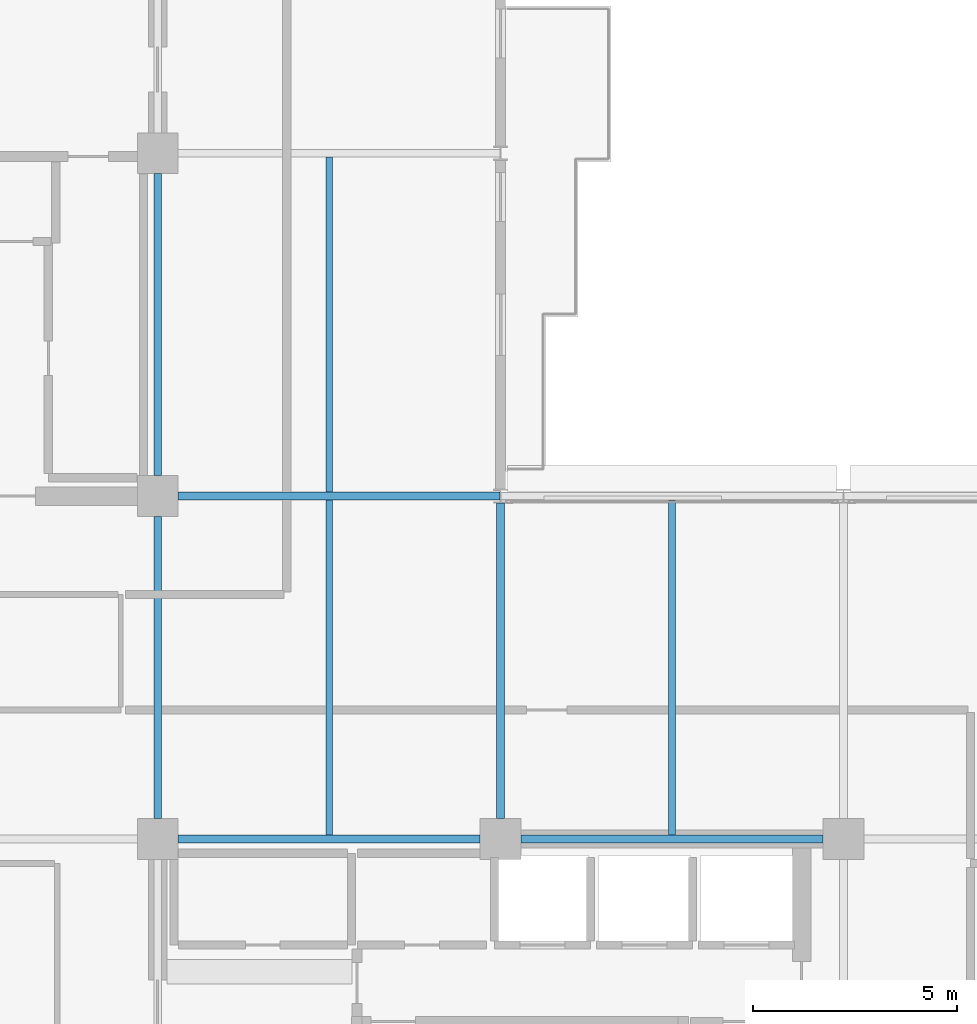
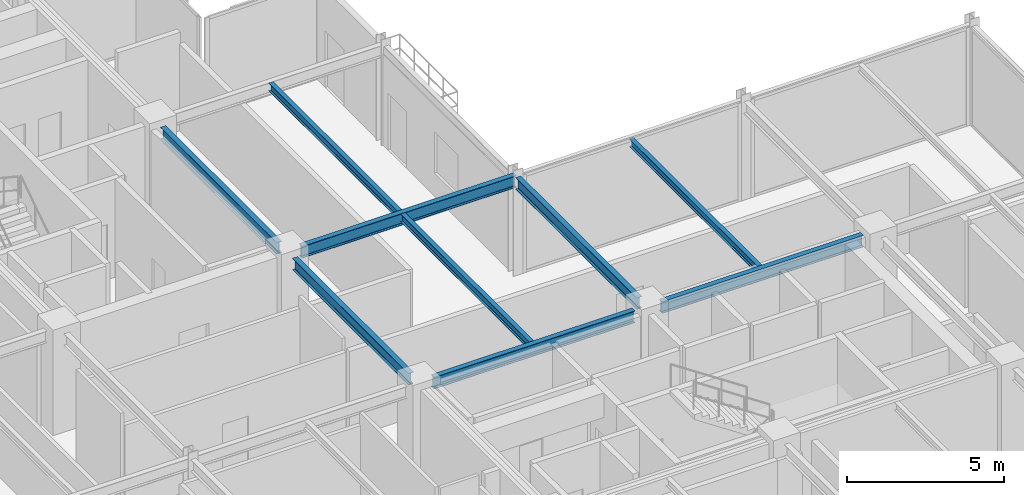
# One storey, part 11 of 26: 9 beams.
"""IFC4 building model written with IfcOpenShell, lengths in metres."""

from ifc_helpers import new_model, si_unit, direction, frame, origin, origin_2d, place, context, subcontext, project, spatial, i_section, extrude, material, material_profile, profile_set, type_object, element, save


model = new_model("IFC4")

# Units and contexts
model_context = context("Model", 3, precision=1e-05, world=origin(), true_north=direction((0.0, 1.0)))
body_context = subcontext(model_context, "Body", "Model", "MODEL_VIEW")
ifc_project = project(units=[si_unit("LENGTHUNIT", "METRE"), si_unit("AREAUNIT", "SQUARE_METRE"), si_unit("VOLUMEUNIT", "CUBIC_METRE"), si_unit("PLANEANGLEUNIT", "RADIAN"), si_unit("MASSUNIT", "GRAM", prefix="KILO")], contexts=[model_context])

# Site, building, storey
site_placement = place(None, origin())
site = spatial("IfcSite", under=ifc_project, at=site_placement, CompositionType="ELEMENT")
building_placement = place(site_placement, origin())
building = spatial("IfcBuilding", under=site, at=building_placement, Name="Nerrivon Quay Data Exchange", CompositionType="ELEMENT")
storey_placement = place(building_placement, frame((0.0, 0.0, 228.800048828125)))
storey = spatial("IfcBuildingStorey", under=building, at=storey_placement, Name="L54", CompositionType="ELEMENT", Elevation=228.800048828125)

# Beams
ifc_material = material(Name="Steel Grade 350", Category="steel")
ifc_material_profile_1 = material_profile(ifc_material, i_section(OverallWidth=0.19091796875, OverallDepth=0.4599609375, WebThickness=0.010009765625, FlangeThickness=0.01611328125, FilletRadius=0.011474609375, at=origin_2d()), Name="460UB82.1")
ifc_profile_set_1 = profile_set([ifc_material_profile_1], Name="Steel Grade 350")
beam_type_1 = type_object("IfcBeamType", Name="BM-G5-460UB82", PredefinedType="BEAM", material=ifc_profile_set_1)
beam_1_placement = place(storey_placement, frame((17.300048828125, 16.800048828125, 3.594970703125), z_axis=(1.0, 0.0, 0.0), x_axis=(0.0, 1.0, 0.0)))
element("IfcBeam", 1, at=beam_1_placement, inside=storey, type_object=beam_type_1, Name="L54 EW Girder Y=16.8 (16.8..25.2)", PredefinedType="BEAM", context=body_context, shape_type="SweptSolid", body=[
    extrude(i_section(OverallWidth=0.19091796875, OverallDepth=0.4599609375, WebThickness=0.010009765625, FlangeThickness=0.01611328125, FilletRadius=0.011474609375, at=origin_2d()), origin(), (0.0, 0.0, 1.0), 7.39990234375),
])
beam_2_placement = place(storey_placement, frame((25.699951171875, 16.800048828125, 3.594970703125), z_axis=(1.0, 0.0, 0.0), x_axis=(0.0, 1.0, 0.0)))
element("IfcBeam", 2, at=beam_2_placement, inside=storey, type_object=beam_type_1, Name="L54 EW Girder Y=16.8 (25.2..33.6)", PredefinedType="BEAM", context=body_context, shape_type="SweptSolid", body=[
    extrude(i_section(OverallWidth=0.19091796875, OverallDepth=0.4599609375, WebThickness=0.010009765625, FlangeThickness=0.01611328125, FilletRadius=0.011474609375, at=origin_2d()), origin(), (0.0, 0.0, 1.0), 7.400146484375),
])
beam_3_placement = place(storey_placement, frame((17.300048828125, 25.199951171875, 3.594970703125), z_axis=(1.0, 0.0, 0.0), x_axis=(0.0, 1.0, 0.0)))
element("IfcBeam", 3, at=beam_3_placement, inside=storey, type_object=beam_type_1, Name="L54 EW Girder Y=25.2 (16.8..25.2)", PredefinedType="BEAM", context=body_context, shape_type="SweptSolid", body=[
    extrude(i_section(OverallWidth=0.19091796875, OverallDepth=0.4599609375, WebThickness=0.010009765625, FlangeThickness=0.01611328125, FilletRadius=0.011474609375, at=origin_2d()), origin(), (0.0, 0.0, 1.0), 7.889892578125),
])
ifc_material_profile_2 = material_profile(ifc_material, i_section(OverallWidth=0.18994140625, OverallDepth=0.4541015625, WebThickness=0.008544921875, FlangeThickness=0.0126953125, FilletRadius=0.011474609375, at=origin_2d()), Name="460UB67.1")
ifc_profile_set_2 = profile_set([ifc_material_profile_2], Name="Steel Grade 350")
beam_type_2 = type_object("IfcBeamType", Name="BM-G6-460UB67", PredefinedType="BEAM", material=ifc_profile_set_2)
beam_4_placement = place(storey_placement, frame((16.800048828125, 17.300048828125, 3.597900390625), z_axis=(0.0, 1.0, 0.0), x_axis=(-1.0, 0.0, 0.0)))
element("IfcBeam", 4, at=beam_4_placement, inside=storey, type_object=beam_type_2, Name="L54 NS Girder X=16.8 (16.8..25.2)", PredefinedType="BEAM", context=body_context, shape_type="SweptSolid", body=[
    extrude(i_section(OverallWidth=0.18994140625, OverallDepth=0.4541015625, WebThickness=0.008544921875, FlangeThickness=0.0126953125, FilletRadius=0.011474609375, at=origin_2d()), origin(), (0.0, 0.0, 1.0), 7.39990234375),
])
beam_5_placement = place(storey_placement, frame((16.800048828125, 25.699951171875, 3.597900390625), z_axis=(0.0, 1.0, 0.0), x_axis=(-1.0, 0.0, 0.0)))
element("IfcBeam", 5, at=beam_5_placement, inside=storey, type_object=beam_type_2, Name="L54 NS Girder X=16.8 (25.2..33.6)", PredefinedType="BEAM", context=body_context, shape_type="SweptSolid", body=[
    extrude(i_section(OverallWidth=0.18994140625, OverallDepth=0.4541015625, WebThickness=0.008544921875, FlangeThickness=0.0126953125, FilletRadius=0.011474609375, at=origin_2d()), origin(), (0.0, 0.0, 1.0), 7.400146484375),
])
beam_6_placement = place(storey_placement, frame((25.199951171875, 17.300048828125, 3.597900390625), z_axis=(0.0, 1.0, 0.0), x_axis=(-1.0, 0.0, 0.0)))
element("IfcBeam", 6, at=beam_6_placement, inside=storey, type_object=beam_type_2, Name="L54 NS Girder X=25.2 (16.8..25.2)", PredefinedType="BEAM", context=body_context, shape_type="SweptSolid", body=[
    extrude(i_section(OverallWidth=0.18994140625, OverallDepth=0.4541015625, WebThickness=0.008544921875, FlangeThickness=0.0126953125, FilletRadius=0.011474609375, at=origin_2d()), origin(), (0.0, 0.0, 1.0), 7.724853515625),
])
ifc_material_profile_3 = material_profile(ifc_material, i_section(OverallWidth=0.166015625, OverallDepth=0.306884765625, WebThickness=0.006591796875, FlangeThickness=0.01171875, FilletRadius=0.011474609375, at=origin_2d()), Name="310UB46.2")
ifc_profile_set_3 = profile_set([ifc_material_profile_3], Name="Steel Grade 350")
beam_type_3 = type_object("IfcBeamType", Name="BM-J5-310UB46", PredefinedType="JOIST", material=ifc_profile_set_3)
for number, where, z_axis, x_axis, name in (
    (7, (21.0, 16.8955078125, 3.67138671875), (0.0, 1.0, 0.0), (-1.0, 0.0, 0.0), "L54 Secondary Joist X=21.0 (16.8..25.2)"),
    (8, (21.0, 25.29541015625, 3.67138671875), (0.0, 1.0, 0.0), (-1.0, 0.0, 0.0), "L54 Secondary Joist X=21.0 (25.2..33.6)"),
):
    element("IfcBeam", number, at=place(storey_placement, frame(where, z_axis=z_axis, x_axis=x_axis)), inside=storey, type_object=beam_type_3, Name=name, PredefinedType="JOIST", context=body_context, shape_type="SweptSolid", body=[
        extrude(i_section(OverallWidth=0.166015625, OverallDepth=0.306884765625, WebThickness=0.006591796875, FlangeThickness=0.01171875, FilletRadius=0.011474609375, at=origin_2d()), origin(), (0.0, 0.0, 1.0), 8.208984375),
    ])
beam_7_placement = place(storey_placement, frame((29.39990234375, 16.8955078125, 3.67138671875), z_axis=(0.0, 1.0, 0.0), x_axis=(-1.0, 0.0, 0.0)))
element("IfcBeam", 9, at=beam_7_placement, inside=storey, type_object=beam_type_3, Name="L54 Secondary Joist X=29.4 (16.8..25.2)", PredefinedType="JOIST", context=body_context, shape_type="SweptSolid", body=[
    extrude(i_section(OverallWidth=0.166015625, OverallDepth=0.306884765625, WebThickness=0.006591796875, FlangeThickness=0.01171875, FilletRadius=0.011474609375, at=origin_2d()), origin(), (0.0, 0.0, 1.0), 8.20458984375),
])

save(model, "model.ifc")
